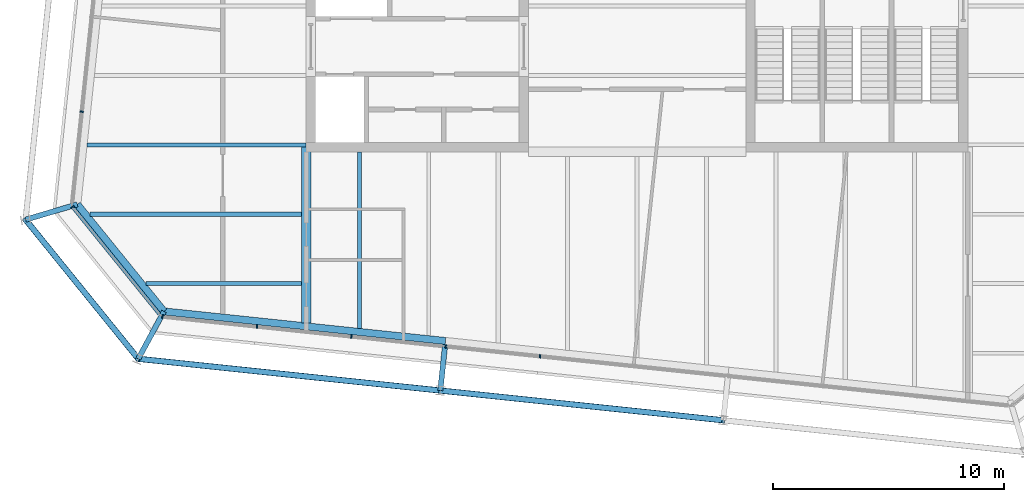
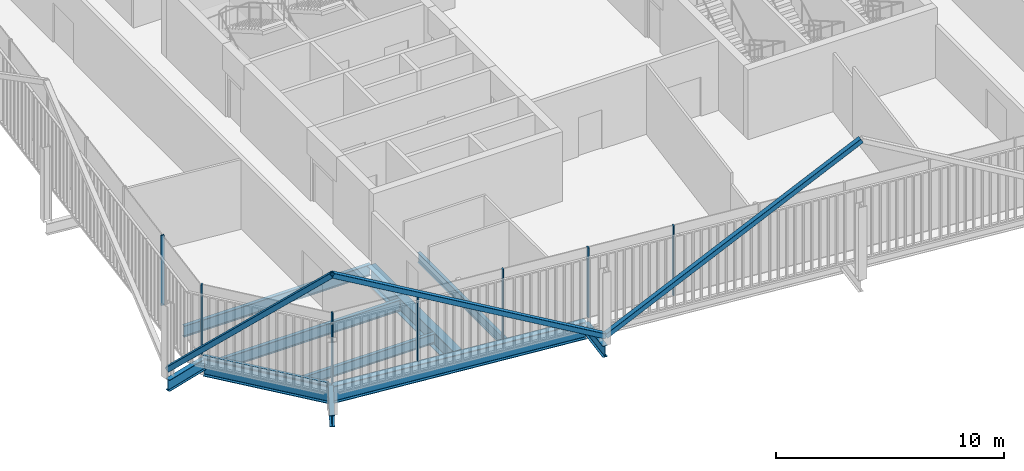
# One storey, part 3 of 21: 11 members, 10 beams, 3 elements without a shape of their own.
"""IFC4 building model written with IfcOpenShell, lengths in metres."""

from ifc_helpers import new_model, si_unit, direction, frame, origin, origin_2d, place, context, subcontext, project, spatial, rectangle, hollow_rectangle, i_section, extrude, material, layer, layer_set, material_profile, profile_set, type_object, element, aggregate, save


model = new_model("IFC4")

# Units and contexts
model_context = context("Model", 3, precision=1e-05, world=origin(), true_north=direction((0.0, 1.0)))
body_context = subcontext(model_context, "Body", "Model", "MODEL_VIEW")
ifc_project = project(units=[si_unit("LENGTHUNIT", "METRE"), si_unit("AREAUNIT", "SQUARE_METRE"), si_unit("VOLUMEUNIT", "CUBIC_METRE"), si_unit("PLANEANGLEUNIT", "RADIAN"), si_unit("MASSUNIT", "GRAM", prefix="KILO")], contexts=[model_context])

# Site, building, storey
site_placement = place(None, origin())
site = spatial("IfcSite", under=ifc_project, at=site_placement, CompositionType="ELEMENT")
building_placement = place(site_placement, origin())
building = spatial("IfcBuilding", under=site, at=building_placement, Name="Millrace Tower", CompositionType="ELEMENT")
storey_placement = place(building_placement, frame((0.0, 0.0, 326.5)))
storey = spatial("IfcBuildingStorey", under=building, at=storey_placement, Name="L75", CompositionType="ELEMENT", Elevation=326.5)

# Curtain wall, member
ifc_material_1 = material(Name="Aluminium and glass", Category="aluminium")
ifc_layer = layer(ifc_material_1, 0.14990234375)
ifc_layer_set = layer_set([ifc_layer], Name="Aluminium and glass")
curtain_wall_type = type_object("IfcCurtainWallType", Name="CW-1 office vision curtain wall", PredefinedType="NOTDEFINED", material=ifc_layer_set)
placement = place(storey_placement, origin())
curtain_wall_1 = element("IfcCurtainWall", 1, at=placement, inside=storey, type_object=curtain_wall_type, Name="Curtain wall E-F01 L75", PredefinedType="NOTDEFINED")
ifc_material_2 = material(Name="Aluminium", Category="aluminium")
ifc_material_profile_1 = material_profile(ifc_material_2, rectangle(XDim=0.06494140625, YDim=0.14990234375, at=origin_2d()))
ifc_profile_set_1 = profile_set([ifc_material_profile_1], Name="Aluminium")
member_type_1 = type_object("IfcMemberType", Name="CW-1 office vision curtain wall mullion", PredefinedType="MULLION", material=ifc_profile_set_1)
member_1_placement = place(storey_placement, frame((-24.391845703125, -11.693359375, 0.139892578125), z_axis=(0.0, 0.0, 1.0), x_axis=(0.629320278945, -0.777146052237, 0.0)))
member_1 = element("IfcMember", 2, at=member_1_placement, type_object=member_type_1, Name="CW1 mullion E-F01.1", PredefinedType="MULLION", context=body_context, shape_type="SweptSolid", body=[
    extrude(rectangle(XDim=0.06494140625, YDim=0.14990234375, at=origin_2d()), origin(), (0.0, 0.0, 1.0), 3.760009765625),
])

# Curtain wall, members
curtain_wall_2 = element("IfcCurtainWall", 3, at=placement, inside=storey, type_object=curtain_wall_type, Name="Curtain wall E-F02 L75", PredefinedType="NOTDEFINED")
member_2_placement = place(storey_placement, frame((-20.50244140625, -16.4248046875, 0.139892578125), z_axis=(0.0, 0.0, 1.0), x_axis=(0.994521896217, -0.104528455196, 0.0)))
member_2 = element("IfcMember", 4, at=member_2_placement, type_object=member_type_1, Name="CW1 mullion E-F02.1", PredefinedType="MULLION", context=body_context, shape_type="SweptSolid", body=[
    extrude(rectangle(XDim=0.06494140625, YDim=0.14990234375, at=origin_2d()), origin(), (0.0, 0.0, 1.0), 3.760009765625),
])
member_3_placement = place(storey_placement, frame((-16.425048828125, -16.853271484375, 0.139892578125), z_axis=(0.0, 0.0, 1.0), x_axis=(0.994521896217, -0.104528455196, 0.0)))
member_3 = element("IfcMember", 5, at=member_3_placement, type_object=member_type_1, Name="CW1 mullion E-F02.2", PredefinedType="MULLION", context=body_context, shape_type="SweptSolid", body=[
    extrude(rectangle(XDim=0.06494140625, YDim=0.14990234375, at=origin_2d()), origin(), (0.0, 0.0, 1.0), 3.760009765625),
])
member_4_placement = place(storey_placement, frame((-12.347412109375, -17.281982421875, 0.139892578125), z_axis=(0.0, 0.0, 1.0), x_axis=(0.994521896217, -0.104528455196, 0.0)))
member_4 = element("IfcMember", 6, at=member_4_placement, type_object=member_type_1, Name="CW1 mullion E-F02.3", PredefinedType="MULLION", context=body_context, shape_type="SweptSolid", body=[
    extrude(rectangle(XDim=0.06494140625, YDim=0.14990234375, at=origin_2d()), origin(), (0.0, 0.0, 1.0), 3.760009765625),
])
member_5_placement = place(storey_placement, frame((-8.269775390625, -17.71044921875, 0.139892578125), z_axis=(0.0, 0.0, 1.0), x_axis=(0.994521896217, -0.104528455196, 0.0)))
member_5 = element("IfcMember", 7, at=member_5_placement, type_object=member_type_1, Name="CW1 mullion E-F02.4", PredefinedType="MULLION", context=body_context, shape_type="SweptSolid", body=[
    extrude(rectangle(XDim=0.06494140625, YDim=0.14990234375, at=origin_2d()), origin(), (0.0, 0.0, 1.0), 3.760009765625),
])
member_6_placement = place(storey_placement, frame((-4.1923828125, -18.13916015625, 0.139892578125), z_axis=(0.0, 0.0, 1.0), x_axis=(0.994521896217, -0.104528455196, 0.0)))
member_6 = element("IfcMember", 8, at=member_6_placement, type_object=member_type_1, Name="CW1 mullion E-F02.5", PredefinedType="MULLION", context=body_context, shape_type="SweptSolid", body=[
    extrude(rectangle(XDim=0.06494140625, YDim=0.14990234375, at=origin_2d()), origin(), (0.0, 0.0, 1.0), 3.760009765625),
])
aggregate(curtain_wall_2, [member_2, member_3, member_4, member_5, member_6])

# Curtain wall, member
curtain_wall_3 = element("IfcCurtainWall", 9, at=placement, inside=storey, type_object=curtain_wall_type, Name="Curtain wall E-F08 L75", PredefinedType="NOTDEFINED")
member_7_placement = place(storey_placement, frame((-24.00341796875, -7.56787109375, 0.139892578125), z_axis=(0.0, 0.0, 1.0), x_axis=(-0.104528455196, -0.994521896217, 0.0)))
member_7 = element("IfcMember", 10, at=member_7_placement, type_object=member_type_1, Name="CW1 mullion E-F08.9", PredefinedType="MULLION", context=body_context, shape_type="SweptSolid", body=[
    extrude(rectangle(XDim=0.06494140625, YDim=0.14990234375, at=origin_2d()), origin(), (0.0, 0.0, 1.0), 3.760009765625),
])
aggregate(curtain_wall_3, [member_7])

# Member
ifc_material_3 = material(Name="Aluminium", Category="aluminium")
ifc_material_profile_2 = material_profile(ifc_material_3, rectangle(XDim=0.14990234375, YDim=0.139892578125, at=origin_2d()))
ifc_profile_set_2 = profile_set([ifc_material_profile_2], Name="Aluminium")
member_type_2 = type_object("IfcMemberType", Name="CW-1 office vision curtain wall transom", PredefinedType="USERDEFINED", material=ifc_profile_set_2)
member_8_placement = place(storey_placement, frame((-24.349365234375, -11.745849609375, 0.070068359375), z_axis=(0.629321221277, -0.777145289151, 0.0), x_axis=(0.777145289151, 0.629321221277, 0.0)))
member_8 = element("IfcMember", 11, at=member_8_placement, type_object=member_type_2, Name="CW1 transom E-F01.1", ObjectType="TRANSOM", PredefinedType="USERDEFINED", context=body_context, shape_type="SweptSolid", body=[
    extrude(rectangle(XDim=0.14990234375, YDim=0.139892578125, at=origin_2d()), origin(), (0.0, 0.0, 1.0), 5.881103515625),
])

aggregate(curtain_wall_1, [member_1, member_8])

# Members
ifc_material_4 = material(Name="Steel ASTM A500 Grade C", Category="steel")
ifc_material_profile_3 = material_profile(ifc_material_4, hollow_rectangle(XDim=0.25390625, YDim=0.25390625, WallThickness=0.009521484375, InnerFilletRadius=0.004638671875, OuterFilletRadius=0.014404296875, at=origin_2d()))
ifc_profile_set_3 = profile_set([ifc_material_profile_3], Name="Steel ASTM A500 Grade C")
member_type_3 = type_object("IfcMemberType", Name="Exoskeleton brace HSS10x10x3/8", PredefinedType="BRACE", material=ifc_profile_set_3)
member_9_placement = place(storey_placement, frame((-26.429443359375, -12.23583984375, 0.39990234375), z_axis=(0.466694392708, -0.57631352586, 0.670864415308), x_axis=(0.777142728993, 0.62932438279, 0.0)))
element("IfcMember", 12, at=member_9_placement, inside=storey, type_object=member_type_3, Name="BRC-E-L75-01", PredefinedType="BRACE", context=body_context, shape_type="SweptSolid", body=[
    extrude(hollow_rectangle(XDim=0.25390625, YDim=0.25390625, WallThickness=0.009521484375, InnerFilletRadius=0.004638671875, OuterFilletRadius=0.014404296875, at=origin_2d()), origin(), (0.0, 0.0, 1.0), 10.434326171875),
])
member_10_placement = place(storey_placement, frame((-8.50341796875, -19.62158203125, 0.39990234375), z_axis=(-0.877568210125, 0.092238278747, 0.470495628578), x_axis=(-0.104530865473, -0.994521642883, 0.0)))
element("IfcMember", 13, at=member_10_placement, inside=storey, type_object=member_type_3, Name="BRC-E-L75-02", PredefinedType="BRACE", context=body_context, shape_type="SweptSolid", body=[
    extrude(hollow_rectangle(XDim=0.25390625, YDim=0.25390625, WallThickness=0.009521484375, InnerFilletRadius=0.004638671875, OuterFilletRadius=0.014404296875, at=origin_2d()), origin(), (0.0, 0.0, 1.0), 14.8779296875),
])
member_11_placement = place(storey_placement, frame((-8.50341796875, -19.62158203125, 0.39990234375), z_axis=(0.864351522622, -0.090842732624, 0.494615045537), x_axis=(0.104523600289, 0.994522406476, 0.0)))
element("IfcMember", 14, at=member_11_placement, inside=storey, type_object=member_type_3, Name="BRC-E-L75-03", PredefinedType="BRACE", context=body_context, shape_type="SweptSolid", body=[
    extrude(hollow_rectangle(XDim=0.25390625, YDim=0.25390625, WallThickness=0.009521484375, InnerFilletRadius=0.004638671875, OuterFilletRadius=0.014404296875, at=origin_2d()), origin(), (0.0, 0.0, 1.0), 14.15234375),
])

# Beams
ifc_material_5 = material(Name="Steel ASTM A992 Grade 50", Category="steel")
ifc_material_profile_4 = material_profile(ifc_material_5, i_section(OverallWidth=0.1650390625, OverallDepth=0.52587890625, WebThickness=0.0087890625, FlangeThickness=0.011474609375, FilletRadius=0.0126953125, at=origin_2d()))
ifc_profile_set_4 = profile_set([ifc_material_profile_4], Name="Steel ASTM A992 Grade 50")
beam_type_1 = type_object("IfcBeamType", Name="Floor beam W21x44", PredefinedType="JOIST", material=ifc_profile_set_4)
beam_1_placement = place(storey_placement, frame((-12.0, -16.93408203125, -0.4228515625), z_axis=(0.0, 1.0, 0.0), x_axis=(-1.0, 0.0, 0.0)))
element("IfcBeam", 15, at=beam_1_placement, inside=storey, type_object=beam_type_1, Name="BM-E-L75-S1-S037", PredefinedType="JOIST", context=body_context, shape_type="SweptSolid", body=[
    extrude(i_section(OverallWidth=0.1650390625, OverallDepth=0.52587890625, WebThickness=0.0087890625, FlangeThickness=0.011474609375, FilletRadius=0.0126953125, at=origin_2d()), origin(), (0.0, 0.0, 1.0), 7.634033203125),
])
beam_2_placement = place(storey_placement, frame((-21.214111328125, -15.0, -0.4228515625), z_axis=(1.0, 0.0, 0.0), x_axis=(0.0, 1.0, 0.0)))
element("IfcBeam", 16, at=beam_2_placement, inside=storey, type_object=beam_type_1, Name="BM-E-L75-S1-S002", PredefinedType="JOIST", context=body_context, shape_type="SweptSolid", body=[
    extrude(i_section(OverallWidth=0.1650390625, OverallDepth=0.52587890625, WebThickness=0.0087890625, FlangeThickness=0.011474609375, FilletRadius=0.0126953125, at=origin_2d()), origin(), (0.0, 0.0, 1.0), 6.70458984375),
])
ifc_material_6 = material(Name="Steel ASTM A992 Grade 50", Category="steel")
ifc_material_profile_5 = material_profile(ifc_material_6, i_section(OverallWidth=0.177978515625, OverallDepth=0.599365234375, WebThickness=0.010009765625, FlangeThickness=0.012939453125, FilletRadius=0.012939453125, at=origin_2d()))
ifc_profile_set_5 = profile_set([ifc_material_profile_5], Name="Steel ASTM A992 Grade 50")
beam_type_2 = type_object("IfcBeamType", Name="Floor beam W24x55", PredefinedType="JOIST", material=ifc_profile_set_5)
beam_3_placement = place(storey_placement, frame((-23.76953125, -9.0, -0.459716796875), z_axis=(1.0, 0.0, 0.0), x_axis=(0.0, 1.0, 0.0)))
element("IfcBeam", 17, at=beam_3_placement, inside=storey, type_object=beam_type_2, Name="BM-E-L75-S1-S006", PredefinedType="JOIST", context=body_context, shape_type="SweptSolid", body=[
    extrude(i_section(OverallWidth=0.177978515625, OverallDepth=0.599365234375, WebThickness=0.010009765625, FlangeThickness=0.012939453125, FilletRadius=0.012939453125, at=origin_2d()), origin(), (0.0, 0.0, 1.0), 9.469482421875),
])
beam_4_placement = place(storey_placement, frame((-23.635498046875, -12.0, -0.459716796875), z_axis=(1.0, 0.0, 0.0), x_axis=(0.0, 1.0, 0.0)))
element("IfcBeam", 18, at=beam_4_placement, inside=storey, type_object=beam_type_2, Name="BM-E-L75-S1-S004", PredefinedType="JOIST", context=body_context, shape_type="SweptSolid", body=[
    extrude(i_section(OverallWidth=0.177978515625, OverallDepth=0.599365234375, WebThickness=0.010009765625, FlangeThickness=0.012939453125, FilletRadius=0.012939453125, at=origin_2d()), origin(), (0.0, 0.0, 1.0), 9.1259765625),
])
ifc_material_7 = material(Name="Steel ASTM A992 Grade 50", Category="steel")
ifc_material_profile_6 = material_profile(ifc_material_7, i_section(OverallWidth=0.419189453125, OverallDepth=0.927001953125, WebThickness=0.019287109375, FlangeThickness=0.031982421875, FilletRadius=0.024169921875, at=origin_2d()))
ifc_profile_set_6 = profile_set([ifc_material_profile_6], Name="Steel ASTM A992 Grade 50")
beam_type_3 = type_object("IfcBeamType", Name="Girder short span W36x231", PredefinedType="BEAM", material=ifc_profile_set_6)
beam_5_placement = place(storey_placement, frame((-14.300048828125, -16.6923828125, -0.62353515625), z_axis=(0.0, 1.0, 0.0), x_axis=(-1.0, 0.0, 0.0)))
element("IfcBeam", 19, at=beam_5_placement, inside=storey, type_object=beam_type_3, Name="BM-E-L75-S1-G055", PredefinedType="BEAM", context=body_context, shape_type="SweptSolid", body=[
    extrude(i_section(OverallWidth=0.419189453125, OverallDepth=0.927001953125, WebThickness=0.019287109375, FlangeThickness=0.031982421875, FilletRadius=0.024169921875, at=origin_2d()), origin(), (0.0, 0.0, 1.0), 7.600341796875),
])
ifc_material_8 = material(Name="Steel ASTM A992 Grade 50", Category="steel")
ifc_material_profile_7 = material_profile(ifc_material_8, i_section(OverallWidth=0.23046875, OverallDepth=0.6171875, WebThickness=0.01318359375, FlangeThickness=0.022216796875, FilletRadius=0.012939453125, at=origin_2d()))
ifc_profile_set_7 = profile_set([ifc_material_profile_7], Name="Steel ASTM A992 Grade 50")
beam_type_4 = type_object("IfcBeamType", Name="Link beam W24x94", PredefinedType="BEAM", material=ifc_profile_set_7)
beam_6_placement = place(storey_placement, frame((-24.1943359375, -11.57373046875, -0.468505859375), z_axis=(-0.958815015936, -0.284031275065, 0.0), x_axis=(0.284031275065, -0.958815015936, 0.0)))
element("IfcBeam", 20, at=beam_6_placement, inside=storey, type_object=beam_type_4, Name="LNK-E-L75-S1-01", PredefinedType="BEAM", context=body_context, shape_type="SweptSolid", body=[
    extrude(i_section(OverallWidth=0.23046875, OverallDepth=0.6171875, WebThickness=0.01318359375, FlangeThickness=0.022216796875, FilletRadius=0.012939453125, at=origin_2d()), origin(), (0.0, 0.0, 1.0), 2.3310546875),
])
beam_7_placement = place(storey_placement, frame((-8.29443359375, -17.632568359375, -0.468505859375), z_axis=(-0.104494148666, -0.99452550138, 0.0), x_axis=(0.99452550138, -0.104494148666, 0.0)))
element("IfcBeam", 21, at=beam_7_placement, inside=storey, type_object=beam_type_4, Name="LNK-E-L75-S1-15", PredefinedType="BEAM", context=body_context, shape_type="SweptSolid", body=[
    extrude(i_section(OverallWidth=0.23046875, OverallDepth=0.6171875, WebThickness=0.01318359375, FlangeThickness=0.022216796875, FilletRadius=0.012939453125, at=origin_2d()), origin(), (0.0, 0.0, 1.0), 2.0),
])
beam_8_placement = place(storey_placement, frame((-20.447509765625, -16.20068359375, -0.468505859375), z_axis=(-0.477163510307, -0.87881453358, 0.0), x_axis=(0.87881453358, -0.477163510307, 0.0)))
element("IfcBeam", 22, at=beam_8_placement, inside=storey, type_object=beam_type_4, Name="LNK-E-L75-S1-16", PredefinedType="BEAM", context=body_context, shape_type="SweptSolid", body=[
    extrude(i_section(OverallWidth=0.23046875, OverallDepth=0.6171875, WebThickness=0.01318359375, FlangeThickness=0.022216796875, FilletRadius=0.012939453125, at=origin_2d()), origin(), (0.0, 0.0, 1.0), 2.3310546875),
])
ifc_material_9 = material(Name="Steel ASTM A992 Grade 50", Category="steel")
ifc_material_profile_8 = material_profile(ifc_material_9, i_section(OverallWidth=0.307373046875, OverallDepth=0.927001953125, WebThickness=0.01953125, FlangeThickness=0.031982421875, FilletRadius=0.01904296875, at=origin_2d()))
ifc_profile_set_8 = profile_set([ifc_material_profile_8], Name="Steel ASTM A992 Grade 50")
beam_type_5 = type_object("IfcBeamType", Name="Ring beam medium span W36x194", PredefinedType="SPANDREL", material=ifc_profile_set_8)
beam_9_placement = place(storey_placement, frame((-8.2783203125, -17.479736328125, -0.62353515625), z_axis=(-0.994521730693, 0.104530030035, 0.0), x_axis=(-0.104530030035, -0.994521730693, 0.0)))
element("IfcBeam", 23, at=beam_9_placement, inside=storey, type_object=beam_type_5, Name="RNG-E-L75-S1-15", PredefinedType="SPANDREL", context=body_context, shape_type="SweptSolid", body=[
    extrude(i_section(OverallWidth=0.307373046875, OverallDepth=0.927001953125, WebThickness=0.01953125, FlangeThickness=0.031982421875, FilletRadius=0.01904296875, at=origin_2d()), origin(), (0.0, 0.0, 1.0), 12.236328125),
])
ifc_material_10 = material(Name="Steel ASTM A992 Grade 50", Category="steel")
ifc_material_profile_9 = material_profile(ifc_material_10, i_section(OverallWidth=0.307373046875, OverallDepth=0.927001953125, WebThickness=0.01953125, FlangeThickness=0.031982421875, FilletRadius=0.01904296875, at=origin_2d()))
ifc_profile_set_9 = profile_set([ifc_material_profile_9], Name="Steel ASTM A992 Grade 50")
beam_type_6 = type_object("IfcBeamType", Name="Ring beam short span W36x194", PredefinedType="SPANDREL", material=ifc_profile_set_9)
beam_10_placement = place(storey_placement, frame((-20.447509765625, -16.20068359375, -0.62353515625), z_axis=(-0.629319722443, 0.777146502883, 0.0), x_axis=(-0.777146502883, -0.629319722443, 0.0)))
element("IfcBeam", 24, at=beam_10_placement, inside=storey, type_object=beam_type_6, Name="RNG-E-L75-S1-16", PredefinedType="SPANDREL", context=body_context, shape_type="SweptSolid", body=[
    extrude(i_section(OverallWidth=0.307373046875, OverallDepth=0.927001953125, WebThickness=0.01953125, FlangeThickness=0.031982421875, FilletRadius=0.01904296875, at=origin_2d()), origin(), (0.0, 0.0, 1.0), 5.953857421875),
])

save(model, "model.ifc")
